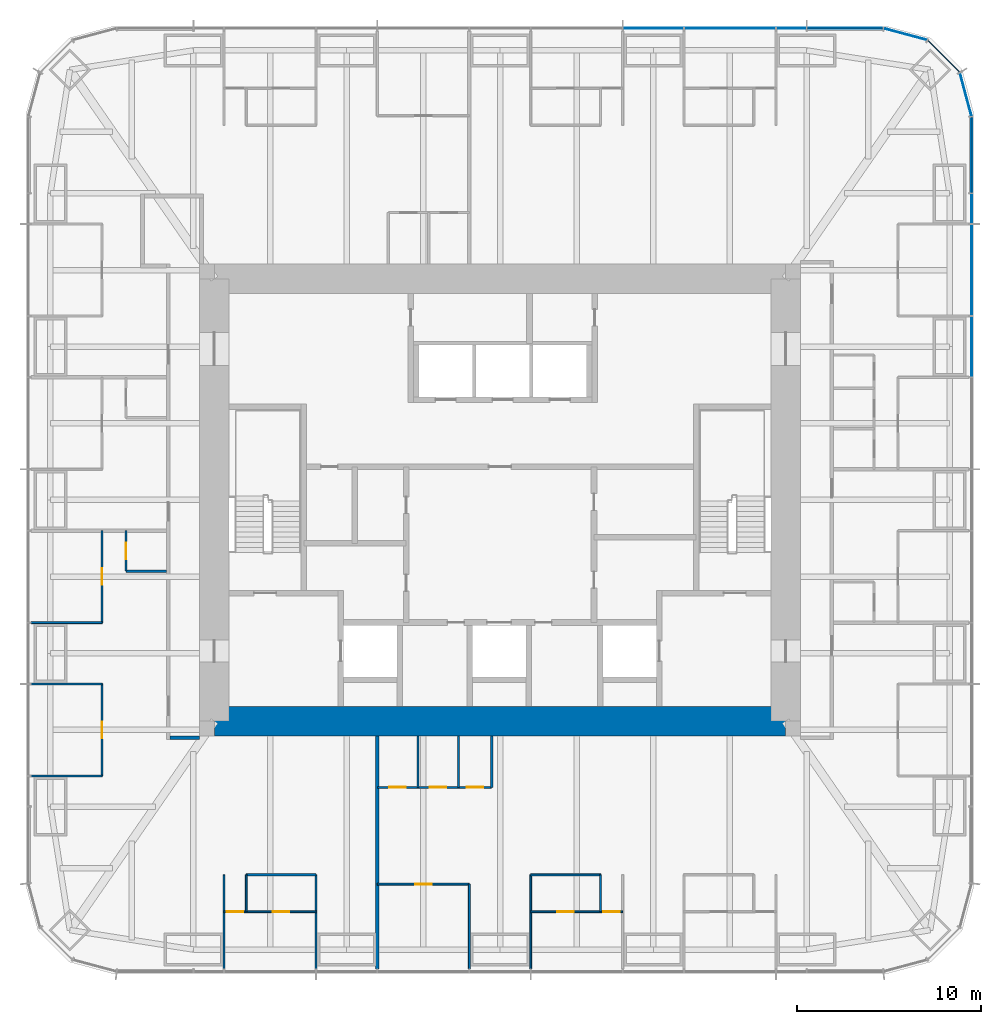
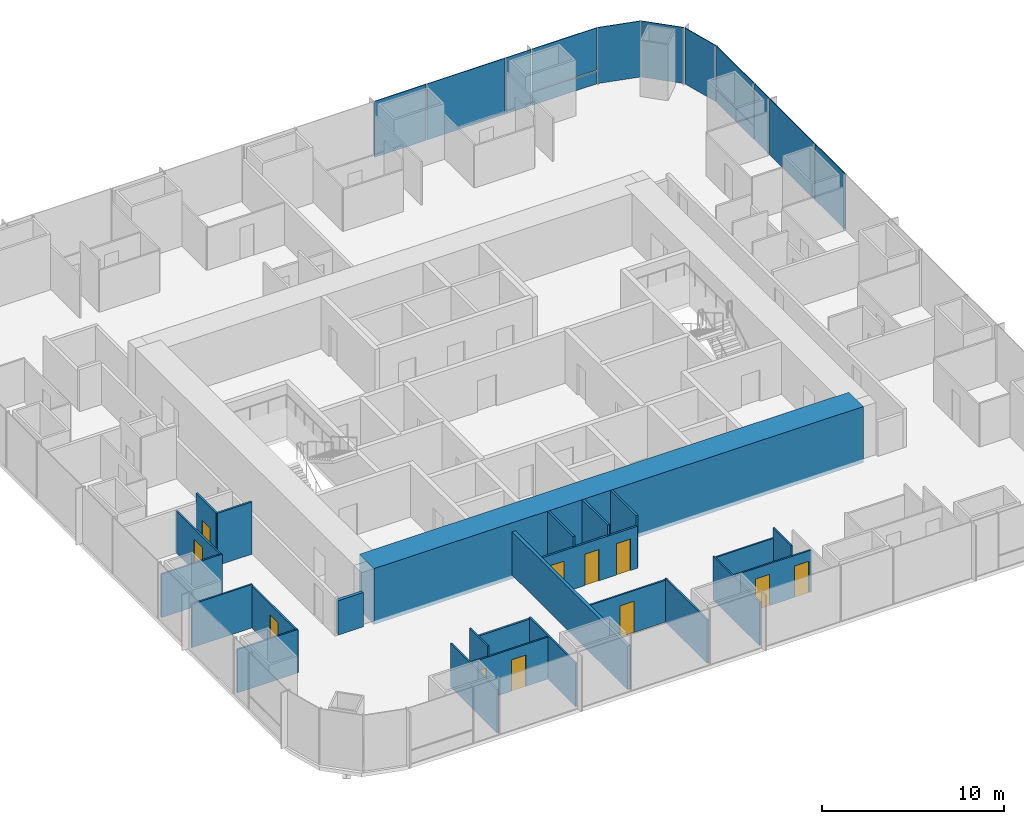
# One storey, part 8 of 13: 25 walls, 13 plates, 11 doors, 11 openings, 3 elements without a shape of their own.
"""IFC4 building model written with IfcOpenShell, lengths in metres."""

from ifc_helpers import new_model, si_unit, direction, frame, frame_2d, origin, origin_2d, place, context, subcontext, project, spatial, rectangle, extrude, material, layer, layer_set, type_object, element, fill, aggregate, save


model = new_model("IFC4")

# Units and contexts
model_context = context("Model", 3, precision=1e-05, world=origin(), true_north=direction((0.0, 1.0)))
body_context = subcontext(model_context, "Body", "Model", "MODEL_VIEW")
ifc_project = project(units=[si_unit("LENGTHUNIT", "METRE"), si_unit("AREAUNIT", "SQUARE_METRE"), si_unit("VOLUMEUNIT", "CUBIC_METRE"), si_unit("PLANEANGLEUNIT", "RADIAN"), si_unit("MASSUNIT", "GRAM", prefix="KILO")], contexts=[model_context])

# Site, building, storey
site_placement = place(None, origin())
site = spatial("IfcSite", under=ifc_project, at=site_placement, CompositionType="ELEMENT")
building_placement = place(site_placement, origin())
building = spatial("IfcBuilding", under=site, at=building_placement, Name="Khuree Lantern Residences", CompositionType="ELEMENT")
storey_placement = place(building_placement, frame((0.0, 0.0, 263.25)))
storey = spatial("IfcBuildingStorey", under=building, at=storey_placement, Name="L66", CompositionType="ELEMENT", Elevation=263.25)

# Curtain wall, plates
ifc_material_1 = material(Name="Bronze anodised aluminium", Category="aluminium")
curtain_wall_type_1 = type_object("IfcCurtainWallType", Name="CW-T2 TOWER CORNER CURTAIN WALL", PredefinedType="USERDEFINED", material=ifc_material_1)
curtain_wall_1_placement = place(storey_placement, origin())
curtain_wall_1 = element("IfcCurtainWall", 1, at=curtain_wall_1_placement, inside=storey, type_object=curtain_wall_type_1, Name="L66 NORTH-EAST CORNER CURTAIN WALL", ObjectType="Faceted corner curtain wall", PredefinedType="USERDEFINED")
ifc_material_2 = material(Name="Bronze tinted triple glazing", Category="glass")
ifc_layer_1 = layer(ifc_material_2, 0.048095703125)
ifc_layer_set_1 = layer_set([ifc_layer_1], Name="FACET PANEL P4")
plate_type_1 = type_object("IfcPlateType", Name="FACET PANEL P4", PredefinedType="CURTAIN_PANEL", material=ifc_layer_set_1)
plate_1_placement = place(storey_placement, frame((25.279052734375, 21.998046875, 0.0), z_axis=(0.0, 0.0, 1.0), x_axis=(-0.258819021888, 0.965925832509, 0.0)))
plate_1 = element("IfcPlate", 2, at=plate_1_placement, type_object=plate_type_1, Name="L66 NORTH-EAST CORNER PANEL 15.1", PredefinedType="CURTAIN_PANEL", context=body_context, shape_type="SweptSolid", body=[
    extrude(rectangle(XDim=2.40869140625, YDim=0.048095703125, at=origin_2d()), origin(), (0.0, 0.0, 1.0), 3.75),
])
plate_2_placement = place(storey_placement, frame((24.078369140625, 24.078369140625, 0.0), z_axis=(0.0, 0.0, 1.0), x_axis=(-0.707106781187, 0.707106781187, 0.0)))
plate_2 = element("IfcPlate", 3, at=plate_2_placement, type_object=plate_type_1, Name="L66 NORTH-EAST CORNER PANEL 16.1", PredefinedType="CURTAIN_PANEL", context=body_context, shape_type="SweptSolid", body=[
    extrude(rectangle(XDim=2.404541015625, YDim=0.048095703125, at=origin_2d()), origin(), (0.0, 0.0, 1.0), 3.75),
])
plate_3_placement = place(storey_placement, frame((21.998046875, 25.279052734375, 0.0), z_axis=(0.0, 0.0, 1.0), x_axis=(-0.965925832509, 0.258819021888, 0.0)))
plate_3 = element("IfcPlate", 4, at=plate_3_placement, type_object=plate_type_1, Name="L66 NORTH-EAST CORNER PANEL 17.1", PredefinedType="CURTAIN_PANEL", context=body_context, shape_type="SweptSolid", body=[
    extrude(rectangle(XDim=2.40869140625, YDim=0.048095703125, at=origin_2d()), origin(), (0.0, 0.0, 1.0), 3.75),
])
aggregate(curtain_wall_1, [plate_1, plate_2, plate_3])

# Curtain wall, plate
curtain_wall_type_2 = type_object("IfcCurtainWallType", Name="CW-T1 TOWER FACE CURTAIN WALL", PredefinedType="USERDEFINED", material=ifc_material_1)
curtain_wall_2_placement = place(storey_placement, origin())
curtain_wall_2 = element("IfcCurtainWall", 5, at=curtain_wall_2_placement, inside=storey, type_object=curtain_wall_type_2, Name="L66 EAST FACE CURTAIN WALL", ObjectType="Stick-built curtain wall", PredefinedType="USERDEFINED")
ifc_material_3 = material(Name="Bronze tinted triple glazing with a ceramic-fritted spandrel band", Category="glass")
ifc_layer_2 = layer(ifc_material_3, 0.048095703125)
ifc_layer_set_2 = layer_set([ifc_layer_2], Name="FIXED LIGHT PANEL P11")
plate_type_2 = type_object("IfcPlateType", Name="FIXED LIGHT PANEL P11", PredefinedType="CURTAIN_PANEL", material=ifc_layer_set_2)
plate_4_placement = place(storey_placement, frame((25.60009765625, 12.47998046875, 0.0), z_axis=(0.0, 0.0, 1.0), x_axis=(0.0, 1.0, 0.0)))
plate_4 = element("IfcPlate", 6, at=plate_4_placement, type_object=plate_type_2, Name="L66 EAST FACE PANEL 12.1", PredefinedType="CURTAIN_PANEL", context=body_context, shape_type="SweptSolid", body=[
    extrude(rectangle(XDim=4.927001953125, YDim=0.048095703125, at=origin_2d()), origin(), (0.0, 0.0, 1.0), 3.75),
])

curtain_wall_3_placement = place(storey_placement, origin())
curtain_wall_3 = element("IfcCurtainWall", 7, at=curtain_wall_3_placement, inside=storey, type_object=curtain_wall_type_2, Name="L66 NORTH FACE CURTAIN WALL", ObjectType="Stick-built curtain wall", PredefinedType="USERDEFINED")
plate_5_placement = place(storey_placement, frame((12.47998046875, 25.60009765625, 0.0), z_axis=(0.0, 0.0, 1.0), x_axis=(-1.0, 0.0, 0.0)))
plate_5 = element("IfcPlate", 8, at=plate_5_placement, type_object=plate_type_2, Name="L66 NORTH FACE PANEL 20.1", PredefinedType="CURTAIN_PANEL", context=body_context, shape_type="SweptSolid", body=[
    extrude(rectangle(XDim=4.927001953125, YDim=0.048095703125, at=origin_2d()), origin(), (0.0, 0.0, 1.0), 3.75),
])

# Plate
ifc_material_4 = material(Name="Bronze tinted triple glazing, two aluminium-framed sashes in one frame", Category="aluminium")
ifc_layer_3 = layer(ifc_material_4, 0.048095703125)
ifc_layer_set_3 = layer_set([ifc_layer_3], Name="SASH PAIR PANEL P12")
plate_type_3 = type_object("IfcPlateType", Name="SASH PAIR PANEL P12", PredefinedType="CURTAIN_PANEL", material=ifc_layer_set_3)
plate_6_placement = place(storey_placement, frame((25.60009765625, 8.320068359375, 0.0), z_axis=(0.0, 0.0, 1.0), x_axis=(0.0, 1.0, 0.0)))
plate_6 = element("IfcPlate", 9, at=plate_6_placement, type_object=plate_type_3, Name="L66 EAST FACE PANEL 11.1", PredefinedType="CURTAIN_PANEL", context=body_context, shape_type="SweptSolid", body=[
    extrude(rectangle(XDim=3.262939453125, YDim=0.048095703125, at=origin_2d()), origin(), (0.0, 0.0, 1.0), 3.75),
])

plate_7_placement = place(storey_placement, frame((8.320068359375, 25.60009765625, 0.0), z_axis=(0.0, 0.0, 1.0), x_axis=(-1.0, 0.0, 0.0)))
plate_7 = element("IfcPlate", 10, at=plate_7_placement, type_object=plate_type_3, Name="L66 NORTH FACE PANEL 21.1", PredefinedType="CURTAIN_PANEL", context=body_context, shape_type="SweptSolid", body=[
    extrude(rectangle(XDim=3.262939453125, YDim=0.048095703125, at=origin_2d()), origin(), (0.0, 0.0, 1.0), 3.75),
])

ifc_material_5 = material(Name="Bronze tinted triple glazing, aluminium-framed sash", Category="aluminium")
ifc_layer_4 = layer(ifc_material_5, 0.048095703125)
ifc_layer_set_4 = layer_set([ifc_layer_4], Name="SASH PANEL P3")
plate_type_4 = type_object("IfcPlateType", Name="SASH PANEL P3", PredefinedType="CURTAIN_PANEL", material=ifc_layer_set_4)
plate_8_placement = place(storey_placement, frame((25.60009765625, 15.80810546875, 0.0), z_axis=(0.0, 0.0, 1.0), x_axis=(0.0, 1.0, 0.0)))
plate_8 = element("IfcPlate", 11, at=plate_8_placement, type_object=plate_type_4, Name="L66 EAST FACE PANEL 13.1", PredefinedType="CURTAIN_PANEL", context=body_context, shape_type="SweptSolid", body=[
    extrude(rectangle(XDim=1.59912109375, YDim=0.048095703125, at=origin_2d()), origin(), (0.0, 0.0, 1.0), 3.75),
])

plate_9_placement = place(storey_placement, frame((15.80810546875, 25.60009765625, 0.0), z_axis=(0.0, 0.0, 1.0), x_axis=(-1.0, 0.0, 0.0)))
plate_9 = element("IfcPlate", 12, at=plate_9_placement, type_object=plate_type_4, Name="L66 NORTH FACE PANEL 19.1", PredefinedType="CURTAIN_PANEL", context=body_context, shape_type="SweptSolid", body=[
    extrude(rectangle(XDim=1.59912109375, YDim=0.048095703125, at=origin_2d()), origin(), (0.0, 0.0, 1.0), 3.75),
])

ifc_material_6 = material(Name="Bronze anodised aluminium insulated spandrel", Category="aluminium")
ifc_layer_5 = layer(ifc_material_6, 0.06005859375)
ifc_layer_set_5 = layer_set([ifc_layer_5], Name="SPANDREL PANEL P2")
plate_type_5 = type_object("IfcPlateType", Name="SPANDREL PANEL P2", PredefinedType="CURTAIN_PANEL", material=ifc_layer_set_5)
plate_10_placement = place(storey_placement, frame((25.60009765625, 18.7177734375, 0.0), z_axis=(0.0, 0.0, 1.0), x_axis=(0.0, 1.0, 0.0)))
plate_10 = element("IfcPlate", 13, at=plate_10_placement, type_object=plate_type_5, Name="L66 EAST FACE PANEL 14.1", PredefinedType="CURTAIN_PANEL", context=body_context, shape_type="SweptSolid", body=[
    extrude(rectangle(XDim=4.0908203125, YDim=0.06005859375, at=origin_2d()), origin(), (0.0, 0.0, 1.0), 0.867431640625),
])

plate_11_placement = place(storey_placement, frame((18.7177734375, 25.60009765625, 0.0), z_axis=(0.0, 0.0, 1.0), x_axis=(-1.0, 0.0, 0.0)))
plate_11 = element("IfcPlate", 14, at=plate_11_placement, type_object=plate_type_5, Name="L66 NORTH FACE PANEL 18.1", PredefinedType="CURTAIN_PANEL", context=body_context, shape_type="SweptSolid", body=[
    extrude(rectangle(XDim=4.0908203125, YDim=0.06005859375, at=origin_2d()), origin(), (0.0, 0.0, 1.0), 0.867431640625),
])

ifc_layer_6 = layer(ifc_material_2, 0.048095703125)
ifc_layer_set_6 = layer_set([ifc_layer_6], Name="VISION PANEL P1")
plate_type_6 = type_object("IfcPlateType", Name="VISION PANEL P1", PredefinedType="CURTAIN_PANEL", material=ifc_layer_set_6)
plate_12_placement = place(storey_placement, frame((25.60009765625, 18.71826171875, 0.9326171875), z_axis=(0.0, 0.0, 1.0), x_axis=(0.0, 1.0, 0.0)))
plate_12 = element("IfcPlate", 15, at=plate_12_placement, type_object=plate_type_6, Name="L66 EAST FACE PANEL 14.2", PredefinedType="CURTAIN_PANEL", context=body_context, shape_type="SweptSolid", body=[
    extrude(rectangle(XDim=4.091552734375, YDim=0.048095703125, at=origin_2d()), origin(), (0.0, 0.0, 1.0), 2.8173828125),
])

aggregate(curtain_wall_2, [plate_6, plate_4, plate_8, plate_10, plate_12])

plate_13_placement = place(storey_placement, frame((18.71826171875, 25.60009765625, 0.9326171875), z_axis=(0.0, 0.0, 1.0), x_axis=(-1.0, 0.0, 0.0)))
plate_13 = element("IfcPlate", 16, at=plate_13_placement, type_object=plate_type_6, Name="L66 NORTH FACE PANEL 18.2", PredefinedType="CURTAIN_PANEL", context=body_context, shape_type="SweptSolid", body=[
    extrude(rectangle(XDim=4.091552734375, YDim=0.048095703125, at=origin_2d()), origin(), (0.0, 0.0, 1.0), 2.8173828125),
])

aggregate(curtain_wall_3, [plate_11, plate_13, plate_9, plate_5, plate_7])

# Wall
ifc_material_7 = material(Name="Moisture-resistant gypsum board on steel studs", Category="steel")
ifc_layer_7 = layer(ifc_material_7, 0.125)
ifc_layer_set_7 = layer_set([ifc_layer_7], Name="BATHROOM WALL BTW125")
wall_type_1 = type_object("IfcWallType", Name="BATHROOM WALL BTW125", PredefinedType="PARTITIONING", material=ifc_layer_set_7)
wall_1_placement = place(storey_placement, frame((-13.77587890625, -20.344970703125, 0.0), z_axis=(0.0, 0.0, 1.0), x_axis=(1.0, 0.0, 0.0)))
element("IfcWall", 17, at=wall_1_placement, inside=storey, type_object=wall_type_1, Name="L66 BATHROOM WALL 05", PredefinedType="PARTITIONING", context=body_context, shape_type="SweptSolid", body=[
    extrude(rectangle(XDim=3.7919921875, YDim=0.125, at=frame_2d((1.89599609375, 0.0))), origin(), (0.0, 0.0, 1.0), 2.81005859375),
])

# Wall, opening, door
wall_2_placement = place(storey_placement, frame((-20.300048828125, -1.6640625, 0.0), z_axis=(0.0, 0.0, 1.0), x_axis=(0.0, -1.0, 0.0)))
wall_2 = element("IfcWall", 18, at=wall_2_placement, inside=storey, type_object=wall_type_1, Name="L66 BATHROOM WALL 05", PredefinedType="PARTITIONING", context=body_context, shape_type="SweptSolid", body=[
    extrude(rectangle(XDim=2.199951171875, YDim=0.125, at=frame_2d((1.10009765625, 0.0))), origin(), (0.0, 0.0, 1.0), 3.5),
])
opening_1_placement = place(wall_2_placement, frame((0.64990234375, 0.0, 0.0)))
opening_1 = element("IfcOpeningElement", 19, at=opening_1_placement, cuts=wall_2, Name="Opening 66-050", PredefinedType="OPENING", context=body_context, shape_type="SweptSolid", body=[
    extrude(rectangle(XDim=0.89990234375, YDim=2.10009765625, at=frame_2d((0.449951171875, 1.050048828125))), frame((0.0, 0.072509765625, 0.0), z_axis=(0.0, -1.0, 0.0), x_axis=(1.0, 0.0, 0.0)), (0.0, 0.0, 1.0), 0.14501953125),
])
ifc_material_8 = material(Name="Timber door leaf in hardwood frame", Category="wood")
door_type_1 = type_object("IfcDoorType", Name="BATHROOM DOOR 900X2100", OperationType="SINGLE_SWING_LEFT", PredefinedType="DOOR", material=ifc_material_8)
door_1_placement = place(opening_1_placement, origin())
door_1 = element("IfcDoor", 20, at=door_1_placement, inside=storey, type_object=door_type_1, Name="Bathroom door 66-050", OperationType="SINGLE_SWING_LEFT", OverallHeight=2.10009765625, OverallWidth=0.89990234375, PredefinedType="DOOR", context=body_context, shape_type="SweptSolid", body=[
    extrude(rectangle(XDim=0.89990234375, YDim=2.10009765625, at=frame_2d((0.449951171875, 1.050048828125))), frame((0.0, 0.02490234375, 0.0), z_axis=(0.0, -1.0, 0.0), x_axis=(1.0, 0.0, 0.0)), (0.0, 0.0, 1.0), 0.050048828125),
])
fill(opening_1, door_1)

# Wall
wall_3_placement = place(storey_placement, frame((-18.10009765625, -3.864013671875, 0.0), z_axis=(0.0, 0.0, 1.0), x_axis=(-1.0, 0.0, 0.0)))
element("IfcWall", 21, at=wall_3_placement, inside=storey, type_object=wall_type_1, Name="L66 BATHROOM WALL 05", PredefinedType="PARTITIONING", context=body_context, shape_type="SweptSolid", body=[
    extrude(rectangle(XDim=2.199951171875, YDim=0.125, at=frame_2d((1.10009765625, 0.0))), origin(), (0.0, 0.0, 1.0), 3.5),
])

# Wall, openings, doors
wall_4_placement = place(storey_placement, frame((-6.656005859375, -15.60009765625, 0.0), z_axis=(0.0, 0.0, 1.0), x_axis=(1.0, 0.0, 0.0)))
wall_4 = element("IfcWall", 22, at=wall_4_placement, inside=storey, type_object=wall_type_1, Name="L66 BATHROOM WALL 06", PredefinedType="PARTITIONING", context=body_context, shape_type="SweptSolid", body=[
    extrude(rectangle(XDim=6.199951171875, YDim=0.125, at=frame_2d((3.10009765625, 0.0))), origin(), (0.0, 0.0, 1.0), 2.81005859375),
])
opening_2_placement = place(wall_4_placement, frame((0.64990234375, 0.0, 0.0)))
opening_2 = element("IfcOpeningElement", 23, at=opening_2_placement, cuts=wall_4, Name="Opening 66-058", PredefinedType="OPENING", context=body_context, shape_type="SweptSolid", body=[
    extrude(rectangle(XDim=0.89990234375, YDim=2.10009765625, at=frame_2d((0.449951171875, 1.050048828125))), frame((0.0, 0.072509765625, 0.0), z_axis=(0.0, -1.0, 0.0), x_axis=(1.0, 0.0, 0.0)), (0.0, 0.0, 1.0), 0.14501953125),
])
opening_3_placement = place(wall_4_placement, frame((2.85009765625, 0.0, 0.0)))
opening_3 = element("IfcOpeningElement", 24, at=opening_3_placement, cuts=wall_4, Name="Opening 66-059", PredefinedType="OPENING", context=body_context, shape_type="SweptSolid", body=[
    extrude(rectangle(XDim=0.89990234375, YDim=2.10009765625, at=frame_2d((0.449951171875, 1.050048828125))), frame((0.0, 0.072509765625, 0.0), z_axis=(0.0, -1.0, 0.0), x_axis=(1.0, 0.0, 0.0)), (0.0, 0.0, 1.0), 0.14501953125),
])
opening_4_placement = place(wall_4_placement, frame((4.85009765625, 0.0, 0.0)))
opening_4 = element("IfcOpeningElement", 25, at=opening_4_placement, cuts=wall_4, Name="Opening 66-060", PredefinedType="OPENING", context=body_context, shape_type="SweptSolid", body=[
    extrude(rectangle(XDim=0.89990234375, YDim=2.10009765625, at=frame_2d((0.449951171875, 1.050048828125))), frame((0.0, 0.072509765625, 0.0), z_axis=(0.0, -1.0, 0.0), x_axis=(1.0, 0.0, 0.0)), (0.0, 0.0, 1.0), 0.14501953125),
])
door_2_placement = place(opening_2_placement, origin())
door_2 = element("IfcDoor", 26, at=door_2_placement, inside=storey, type_object=door_type_1, Name="Bathroom door 66-058", OperationType="SINGLE_SWING_LEFT", OverallHeight=2.10009765625, OverallWidth=0.89990234375, PredefinedType="DOOR", context=body_context, shape_type="SweptSolid", body=[
    extrude(rectangle(XDim=0.89990234375, YDim=2.10009765625, at=frame_2d((0.449951171875, 1.050048828125))), frame((0.0, 0.02490234375, 0.0), z_axis=(0.0, -1.0, 0.0), x_axis=(1.0, 0.0, 0.0)), (0.0, 0.0, 1.0), 0.050048828125),
])
fill(opening_2, door_2)
door_3_placement = place(opening_3_placement, origin())
door_3 = element("IfcDoor", 27, at=door_3_placement, inside=storey, type_object=door_type_1, Name="Bathroom door 66-059", OperationType="SINGLE_SWING_LEFT", OverallHeight=2.10009765625, OverallWidth=0.89990234375, PredefinedType="DOOR", context=body_context, shape_type="SweptSolid", body=[
    extrude(rectangle(XDim=0.89990234375, YDim=2.10009765625, at=frame_2d((0.449951171875, 1.050048828125))), frame((0.0, 0.02490234375, 0.0), z_axis=(0.0, -1.0, 0.0), x_axis=(1.0, 0.0, 0.0)), (0.0, 0.0, 1.0), 0.050048828125),
])
fill(opening_3, door_3)
door_type_2 = type_object("IfcDoorType", Name="DOOR 900X2100", OperationType="SINGLE_SWING_LEFT", PredefinedType="DOOR", material=ifc_material_8)
door_4_placement = place(opening_4_placement, origin())
door_4 = element("IfcDoor", 28, at=door_4_placement, inside=storey, type_object=door_type_2, Name="Store door 66-060", OperationType="SINGLE_SWING_LEFT", OverallHeight=2.10009765625, OverallWidth=0.89990234375, PredefinedType="DOOR", context=body_context, shape_type="SweptSolid", body=[
    extrude(rectangle(XDim=0.89990234375, YDim=2.10009765625, at=frame_2d((0.449951171875, 1.050048828125))), frame((0.0, 0.02490234375, 0.0), z_axis=(0.0, -1.0, 0.0), x_axis=(1.0, 0.0, 0.0)), (0.0, 0.0, 1.0), 0.050048828125),
])
fill(opening_4, door_4)

# Walls
for number, where, z_axis, x_axis, name in (
    (29, (-4.4560546875, -12.800048828125, 0.0), (0.0, 0.0, 1.0), (0.0, -1.0, 0.0), "L66 BATHROOM WALL 06"),
    (30, (-2.256103515625, -12.800048828125, 0.0), (0.0, 0.0, 1.0), (0.0, -1.0, 0.0), "L66 BATHROOM WALL 06"),
    (31, (-0.4560546875, -12.800048828125, 0.0), (0.0, 0.0, 1.0), (0.0, -1.0, 0.0), "L66 BATHROOM WALL 06"),
):
    element("IfcWall", number, at=place(storey_placement, frame(where, z_axis=z_axis, x_axis=x_axis)), inside=storey, type_object=wall_type_1, Name=name, PredefinedType="PARTITIONING", context=body_context, shape_type="SweptSolid", body=[
        extrude(rectangle(XDim=2.800048828125, YDim=0.125, at=frame_2d((1.39990234375, 0.0))), origin(), (0.0, 0.0, 1.0), 3.5),
    ])
ifc_material_9 = material(Name="Gypsum board on steel studs", Category="steel")
ifc_layer_8 = layer(ifc_material_9, 0.199951171875)
ifc_layer_set_8 = layer_set([ifc_layer_8], Name="CORRIDOR WALL CRW200 EI 60")
wall_type_2 = type_object("IfcWallType", Name="CORRIDOR WALL CRW200 EI 60", PredefinedType="PARTITIONING", material=ifc_layer_set_8)
wall_5_placement = place(storey_placement, frame((-16.300048828125, -12.89990234375, 0.0), z_axis=(0.0, 0.0, 1.0), x_axis=(-1.0, 0.0, 0.0)))
element("IfcWall", 32, at=wall_5_placement, inside=storey, type_object=wall_type_2, Name="L66 WEST CORRIDOR SOUTH END WALL", PredefinedType="PARTITIONING", context=body_context, shape_type="SweptSolid", body=[
    extrude(rectangle(XDim=1.599853515625, YDim=0.199951171875, at=frame_2d((0.7998046875, 0.0))), origin(), (0.0, 0.0, 1.0), 2.300048828125),
])
ifc_material_10 = material(Name="Concrete C50/60", Category="concrete")
ifc_layer_9 = layer(ifc_material_10, 1.60009765625)
ifc_layer_set_9 = layer_set([ifc_layer_9], Name="CW1600-C50 CORE WALL C50 1600")
wall_type_3 = type_object("IfcWallType", Name="CW1600-C50 CORE WALL C50 1600", PredefinedType="SHEAR", material=ifc_layer_set_9)
wall_6_placement = place(storey_placement, frame((-15.5, -12.0, -0.25), z_axis=(0.0, 0.0, 1.0), x_axis=(1.0, 0.0, 0.0)))
element("IfcWall", 33, at=wall_6_placement, inside=storey, type_object=wall_type_3, Name="Core wall S", PredefinedType="SHEAR", context=body_context, shape_type="SweptSolid", body=[
    extrude(rectangle(XDim=31.0, YDim=1.60009765625, at=frame_2d((15.5, 0.0))), origin(), (0.0, 0.0, 1.0), 3.75),
])
ifc_layer_10 = layer(ifc_material_9, 0.199951171875)
ifc_layer_set_10 = layer_set([ifc_layer_10], Name="DEMISING WALL DMW200 EI 90")
wall_type_4 = type_object("IfcWallType", Name="DEMISING WALL DMW200 EI 90", PredefinedType="PARTITIONING", material=ifc_layer_set_10)
wall_7_placement = place(storey_placement, frame((-6.656005859375, -12.800048828125, 0.0), z_axis=(0.0, 0.0, 1.0), x_axis=(0.0, -1.0, 0.0)))
element("IfcWall", 34, at=wall_7_placement, inside=storey, type_object=wall_type_4, Name="L66 DEMISING WALL 06", PredefinedType="PARTITIONING", context=body_context, shape_type="SweptSolid", body=[
    extrude(rectangle(XDim=12.64990234375, YDim=0.199951171875, at=frame_2d((6.324951171875, 0.0))), origin(), (0.0, 0.0, 1.0), 2.909912109375),
])
ifc_layer_11 = layer(ifc_material_9, 0.10009765625)
ifc_layer_set_11 = layer_set([ifc_layer_11], Name="PARTITION PT100")
wall_type_5 = type_object("IfcWallType", Name="PARTITION PT100", PredefinedType="PARTITIONING", material=ifc_layer_set_11)
for number, where, z_axis, x_axis, name in (
    (35, (-21.60009765625, -6.656005859375, 0.0), (0.0, 0.0, 1.0), (-1.0, 0.0, 0.0), "L66 PARTITION 05"),
    (36, (-21.60009765625, -9.98388671875, 0.0), (0.0, 0.0, 1.0), (-1.0, 0.0, 0.0), "L66 PARTITION 05"),
    (37, (-21.60009765625, -14.97607421875, 0.0), (0.0, 0.0, 1.0), (-1.0, 0.0, 0.0), "L66 PARTITION 05"),
):
    element("IfcWall", number, at=place(storey_placement, frame(where, z_axis=z_axis, x_axis=x_axis)), inside=storey, type_object=wall_type_5, Name=name, PredefinedType="PARTITIONING", context=body_context, shape_type="SweptSolid", body=[
        extrude(rectangle(XDim=3.849853515625, YDim=0.10009765625, at=frame_2d((1.9248046875, 0.0))), origin(), (0.0, 0.0, 1.0), 2.909912109375),
    ])
for number, where, z_axis, x_axis, name in (
    (38, (-14.97607421875, -20.344970703125, 0.0), (0.0, 0.0, 1.0), (0.0, -1.0, 0.0), "L66 PARTITION 05"),
    (39, (-9.98388671875, -20.344970703125, 0.0), (0.0, 0.0, 1.0), (0.0, -1.0, 0.0), "L66 PARTITION 05"),
):
    element("IfcWall", number, at=place(storey_placement, frame(where, z_axis=z_axis, x_axis=x_axis)), inside=storey, type_object=wall_type_5, Name=name, PredefinedType="PARTITIONING", context=body_context, shape_type="SweptSolid", body=[
        extrude(rectangle(XDim=5.10498046875, YDim=0.10009765625, at=frame_2d((2.552490234375, 0.0))), origin(), (0.0, 0.0, 1.0), 2.909912109375),
    ])
wall_8_placement = place(storey_placement, frame((-1.6640625, -20.85009765625, 0.0), z_axis=(0.0, 0.0, 1.0), x_axis=(0.0, -1.0, 0.0)))
element("IfcWall", 40, at=wall_8_placement, inside=storey, type_object=wall_type_5, Name="L66 PARTITION 06", PredefinedType="PARTITIONING", context=body_context, shape_type="SweptSolid", body=[
    extrude(rectangle(XDim=4.599853515625, YDim=0.10009765625, at=frame_2d((2.2998046875, 0.0))), origin(), (0.0, 0.0, 1.0), 2.909912109375),
])
wall_9_placement = place(storey_placement, frame((1.6640625, -20.344970703125, 0.0), z_axis=(0.0, 0.0, 1.0), x_axis=(0.0, -1.0, 0.0)))
element("IfcWall", 41, at=wall_9_placement, inside=storey, type_object=wall_type_5, Name="L66 PARTITION 06", PredefinedType="PARTITIONING", context=body_context, shape_type="SweptSolid", body=[
    extrude(rectangle(XDim=5.10498046875, YDim=0.10009765625, at=frame_2d((2.552490234375, 0.0))), origin(), (0.0, 0.0, 1.0), 2.909912109375),
])

# Wall, opening, door
wall_10_placement = place(storey_placement, frame((-21.60009765625, -1.6640625, 0.0), z_axis=(0.0, 0.0, 1.0), x_axis=(0.0, -1.0, 0.0)))
wall_10 = element("IfcWall", 42, at=wall_10_placement, inside=storey, type_object=wall_type_5, Name="L66 PARTITION 05", PredefinedType="PARTITIONING", context=body_context, shape_type="SweptSolid", body=[
    extrude(rectangle(XDim=4.991943359375, YDim=0.10009765625, at=frame_2d((2.49609375, 0.0))), origin(), (0.0, 0.0, 1.0), 2.81005859375),
])
opening_5_placement = place(wall_10_placement, frame((2.0458984375, 0.0, 0.0)))
opening_5 = element("IfcOpeningElement", 43, at=opening_5_placement, cuts=wall_10, Name="Opening 66-046", PredefinedType="OPENING", context=body_context, shape_type="SweptSolid", body=[
    extrude(rectangle(XDim=0.89990234375, YDim=2.10009765625, at=frame_2d((0.449951171875, 1.050048828125))), frame((0.0, 0.06005859375, 0.0), z_axis=(0.0, -1.0, 0.0), x_axis=(1.0, 0.0, 0.0)), (0.0, 0.0, 1.0), 0.1201171875),
])
door_type_3 = type_object("IfcDoorType", Name="BEDROOM DOOR 900X2100", OperationType="SINGLE_SWING_LEFT", PredefinedType="DOOR", material=ifc_material_8)
door_5_placement = place(opening_5_placement, origin())
door_5 = element("IfcDoor", 44, at=door_5_placement, inside=storey, type_object=door_type_3, Name="Bedroom door 66-046", OperationType="SINGLE_SWING_LEFT", OverallHeight=2.10009765625, OverallWidth=0.89990234375, PredefinedType="DOOR", context=body_context, shape_type="SweptSolid", body=[
    extrude(rectangle(XDim=0.89990234375, YDim=2.10009765625, at=frame_2d((0.449951171875, 1.050048828125))), frame((0.0, 0.02490234375, 0.0), z_axis=(0.0, -1.0, 0.0), x_axis=(1.0, 0.0, 0.0)), (0.0, 0.0, 1.0), 0.050048828125),
])
fill(opening_5, door_5)

wall_11_placement = place(storey_placement, frame((-21.60009765625, -9.98388671875, 0.0), z_axis=(0.0, 0.0, 1.0), x_axis=(0.0, -1.0, 0.0)))
wall_11 = element("IfcWall", 45, at=wall_11_placement, inside=storey, type_object=wall_type_5, Name="L66 PARTITION 05", PredefinedType="PARTITIONING", context=body_context, shape_type="SweptSolid", body=[
    extrude(rectangle(XDim=4.9921875, YDim=0.10009765625, at=frame_2d((2.49609375, 0.0))), origin(), (0.0, 0.0, 1.0), 2.81005859375),
])
opening_6_placement = place(wall_11_placement, frame((2.0458984375, 0.0, 0.0)))
opening_6 = element("IfcOpeningElement", 46, at=opening_6_placement, cuts=wall_11, Name="Opening 66-047", PredefinedType="OPENING", context=body_context, shape_type="SweptSolid", body=[
    extrude(rectangle(XDim=0.89990234375, YDim=2.10009765625, at=frame_2d((0.449951171875, 1.050048828125))), frame((0.0, 0.06005859375, 0.0), z_axis=(0.0, -1.0, 0.0), x_axis=(1.0, 0.0, 0.0)), (0.0, 0.0, 1.0), 0.1201171875),
])
door_6_placement = place(opening_6_placement, origin())
door_6 = element("IfcDoor", 47, at=door_6_placement, inside=storey, type_object=door_type_3, Name="Bedroom door 66-047", OperationType="SINGLE_SWING_LEFT", OverallHeight=2.10009765625, OverallWidth=0.89990234375, PredefinedType="DOOR", context=body_context, shape_type="SweptSolid", body=[
    extrude(rectangle(XDim=0.89990234375, YDim=2.10009765625, at=frame_2d((0.449951171875, 1.050048828125))), frame((0.0, 0.02490234375, 0.0), z_axis=(0.0, -1.0, 0.0), x_axis=(1.0, 0.0, 0.0)), (0.0, 0.0, 1.0), 0.050048828125),
])
fill(opening_6, door_6)

# Wall, openings, doors
wall_12_placement = place(storey_placement, frame((-14.97607421875, -22.344970703125, 0.0), z_axis=(0.0, 0.0, 1.0), x_axis=(1.0, 0.0, 0.0)))
wall_12 = element("IfcWall", 48, at=wall_12_placement, inside=storey, type_object=wall_type_5, Name="L66 PARTITION 05", PredefinedType="PARTITIONING", context=body_context, shape_type="SweptSolid", body=[
    extrude(rectangle(XDim=4.9921875, YDim=0.10009765625, at=frame_2d((2.49609375, 0.0))), origin(), (0.0, 0.0, 1.0), 2.81005859375),
])
opening_7_placement = place(wall_12_placement, frame((0.14990234375, 0.0, 0.0)))
opening_7 = element("IfcOpeningElement", 49, at=opening_7_placement, cuts=wall_12, Name="Opening 66-048", PredefinedType="OPENING", context=body_context, shape_type="SweptSolid", body=[
    extrude(rectangle(XDim=0.89990234375, YDim=2.10009765625, at=frame_2d((0.449951171875, 1.050048828125))), frame((0.0, 0.06005859375, 0.0), z_axis=(0.0, -1.0, 0.0), x_axis=(1.0, 0.0, 0.0)), (0.0, 0.0, 1.0), 0.1201171875),
])
opening_8_placement = place(wall_12_placement, frame((2.64599609375, 0.0, 0.0)))
opening_8 = element("IfcOpeningElement", 50, at=opening_8_placement, cuts=wall_12, Name="Opening 66-049", PredefinedType="OPENING", context=body_context, shape_type="SweptSolid", body=[
    extrude(rectangle(XDim=0.89990234375, YDim=2.10009765625, at=frame_2d((0.449951171875, 1.050048828125))), frame((0.0, 0.06005859375, 0.0), z_axis=(0.0, -1.0, 0.0), x_axis=(1.0, 0.0, 0.0)), (0.0, 0.0, 1.0), 0.1201171875),
])
door_7_placement = place(opening_8_placement, origin())
door_7 = element("IfcDoor", 51, at=door_7_placement, inside=storey, type_object=door_type_1, Name="Bathroom door 66-049", OperationType="SINGLE_SWING_LEFT", OverallHeight=2.10009765625, OverallWidth=0.89990234375, PredefinedType="DOOR", context=body_context, shape_type="SweptSolid", body=[
    extrude(rectangle(XDim=0.89990234375, YDim=2.10009765625, at=frame_2d((0.449951171875, 1.050048828125))), frame((0.0, 0.02490234375, 0.0), z_axis=(0.0, -1.0, 0.0), x_axis=(1.0, 0.0, 0.0)), (0.0, 0.0, 1.0), 0.050048828125),
])
fill(opening_8, door_7)
door_8_placement = place(opening_7_placement, origin())
door_8 = element("IfcDoor", 52, at=door_8_placement, inside=storey, type_object=door_type_3, Name="Bedroom door 66-048", OperationType="SINGLE_SWING_LEFT", OverallHeight=2.10009765625, OverallWidth=0.89990234375, PredefinedType="DOOR", context=body_context, shape_type="SweptSolid", body=[
    extrude(rectangle(XDim=0.89990234375, YDim=2.10009765625, at=frame_2d((0.449951171875, 1.050048828125))), frame((0.0, 0.02490234375, 0.0), z_axis=(0.0, -1.0, 0.0), x_axis=(1.0, 0.0, 0.0)), (0.0, 0.0, 1.0), 0.050048828125),
])
fill(opening_7, door_8)

# Wall
wall_13_placement = place(storey_placement, frame((-13.77587890625, -20.344970703125, 0.0), z_axis=(0.0, 0.0, 1.0), x_axis=(0.0, -1.0, 0.0)))
element("IfcWall", 53, at=wall_13_placement, inside=storey, type_object=wall_type_5, Name="L66 PARTITION 05", PredefinedType="PARTITIONING", context=body_context, shape_type="SweptSolid", body=[
    extrude(rectangle(XDim=2.0, YDim=0.10009765625, at=frame_2d((1.0, 0.0))), origin(), (0.0, 0.0, 1.0), 3.5),
])

# Wall, opening, door
wall_14_placement = place(storey_placement, frame((-6.656005859375, -20.85009765625, 0.0), z_axis=(0.0, 0.0, 1.0), x_axis=(1.0, 0.0, 0.0)))
wall_14 = element("IfcWall", 54, at=wall_14_placement, inside=storey, type_object=wall_type_5, Name="L66 PARTITION 06", PredefinedType="PARTITIONING", context=body_context, shape_type="SweptSolid", body=[
    extrude(rectangle(XDim=4.991943359375, YDim=0.10009765625, at=frame_2d((2.49609375, 0.0))), origin(), (0.0, 0.0, 1.0), 2.81005859375),
])
opening_9_placement = place(wall_14_placement, frame((2.0458984375, 0.0, 0.0)))
opening_9 = element("IfcOpeningElement", 55, at=opening_9_placement, cuts=wall_14, Name="Opening 66-052", PredefinedType="OPENING", context=body_context, shape_type="SweptSolid", body=[
    extrude(rectangle(XDim=0.89990234375, YDim=2.10009765625, at=frame_2d((0.449951171875, 1.050048828125))), frame((0.0, 0.06005859375, 0.0), z_axis=(0.0, -1.0, 0.0), x_axis=(1.0, 0.0, 0.0)), (0.0, 0.0, 1.0), 0.1201171875),
])
door_9_placement = place(opening_9_placement, origin())
door_9 = element("IfcDoor", 56, at=door_9_placement, inside=storey, type_object=door_type_3, Name="Bedroom door 66-052", OperationType="SINGLE_SWING_LEFT", OverallHeight=2.10009765625, OverallWidth=0.89990234375, PredefinedType="DOOR", context=body_context, shape_type="SweptSolid", body=[
    extrude(rectangle(XDim=0.89990234375, YDim=2.10009765625, at=frame_2d((0.449951171875, 1.050048828125))), frame((0.0, 0.02490234375, 0.0), z_axis=(0.0, -1.0, 0.0), x_axis=(1.0, 0.0, 0.0)), (0.0, 0.0, 1.0), 0.050048828125),
])
fill(opening_9, door_9)

# Wall, openings, doors
wall_15_placement = place(storey_placement, frame((1.6640625, -22.344970703125, 0.0), z_axis=(0.0, 0.0, 1.0), x_axis=(1.0, 0.0, 0.0)))
wall_15 = element("IfcWall", 57, at=wall_15_placement, inside=storey, type_object=wall_type_5, Name="L66 PARTITION 06", PredefinedType="PARTITIONING", context=body_context, shape_type="SweptSolid", body=[
    extrude(rectangle(XDim=4.991943359375, YDim=0.10009765625, at=frame_2d((2.49609375, 0.0))), origin(), (0.0, 0.0, 1.0), 2.81005859375),
])
opening_10_placement = place(wall_15_placement, frame((3.94189453125, 0.0, 0.0)))
opening_10 = element("IfcOpeningElement", 58, at=opening_10_placement, cuts=wall_15, Name="Opening 66-053", PredefinedType="OPENING", context=body_context, shape_type="SweptSolid", body=[
    extrude(rectangle(XDim=0.89990234375, YDim=2.10009765625, at=frame_2d((0.449951171875, 1.050048828125))), frame((0.0, 0.06005859375, 0.0), z_axis=(0.0, -1.0, 0.0), x_axis=(1.0, 0.0, 0.0)), (0.0, 0.0, 1.0), 0.1201171875),
])
opening_11_placement = place(wall_15_placement, frame((1.446044921875, 0.0, 0.0)))
opening_11 = element("IfcOpeningElement", 59, at=opening_11_placement, cuts=wall_15, Name="Opening 66-054", PredefinedType="OPENING", context=body_context, shape_type="SweptSolid", body=[
    extrude(rectangle(XDim=0.89990234375, YDim=2.10009765625, at=frame_2d((0.449951171875, 1.050048828125))), frame((0.0, 0.06005859375, 0.0), z_axis=(0.0, -1.0, 0.0), x_axis=(1.0, 0.0, 0.0)), (0.0, 0.0, 1.0), 0.1201171875),
])
door_10_placement = place(opening_10_placement, origin())
door_10 = element("IfcDoor", 60, at=door_10_placement, inside=storey, type_object=door_type_3, Name="Bedroom door 66-053", OperationType="SINGLE_SWING_LEFT", OverallHeight=2.10009765625, OverallWidth=0.89990234375, PredefinedType="DOOR", context=body_context, shape_type="SweptSolid", body=[
    extrude(rectangle(XDim=0.89990234375, YDim=2.10009765625, at=frame_2d((0.449951171875, 1.050048828125))), frame((0.0, 0.02490234375, 0.0), z_axis=(0.0, -1.0, 0.0), x_axis=(1.0, 0.0, 0.0)), (0.0, 0.0, 1.0), 0.050048828125),
])
fill(opening_10, door_10)
door_11_placement = place(opening_11_placement, origin())
door_11 = element("IfcDoor", 61, at=door_11_placement, inside=storey, type_object=door_type_2, Name="Wardrobe door 66-054", OperationType="SINGLE_SWING_LEFT", OverallHeight=2.10009765625, OverallWidth=0.89990234375, PredefinedType="DOOR", context=body_context, shape_type="SweptSolid", body=[
    extrude(rectangle(XDim=0.89990234375, YDim=2.10009765625, at=frame_2d((0.449951171875, 1.050048828125))), frame((0.0, 0.02490234375, 0.0), z_axis=(0.0, -1.0, 0.0), x_axis=(1.0, 0.0, 0.0)), (0.0, 0.0, 1.0), 0.050048828125),
])
fill(opening_11, door_11)

# Walls
wall_16_placement = place(storey_placement, frame((5.4560546875, -20.344970703125, 0.0), z_axis=(0.0, 0.0, 1.0), x_axis=(0.0, -1.0, 0.0)))
element("IfcWall", 62, at=wall_16_placement, inside=storey, type_object=wall_type_5, Name="L66 PARTITION 06", PredefinedType="PARTITIONING", context=body_context, shape_type="SweptSolid", body=[
    extrude(rectangle(XDim=2.0, YDim=0.10009765625, at=frame_2d((1.0, 0.0))), origin(), (0.0, 0.0, 1.0), 3.5),
])
wall_17_placement = place(storey_placement, frame((1.6640625, -20.344970703125, 0.0), z_axis=(0.0, 0.0, 1.0), x_axis=(1.0, 0.0, 0.0)))
element("IfcWall", 63, at=wall_17_placement, inside=storey, type_object=wall_type_5, Name="L66 PARTITION 06", PredefinedType="PARTITIONING", context=body_context, shape_type="SweptSolid", body=[
    extrude(rectangle(XDim=3.7919921875, YDim=0.10009765625, at=frame_2d((1.89599609375, 0.0))), origin(), (0.0, 0.0, 1.0), 2.81005859375),
])

save(model, "model.ifc")
